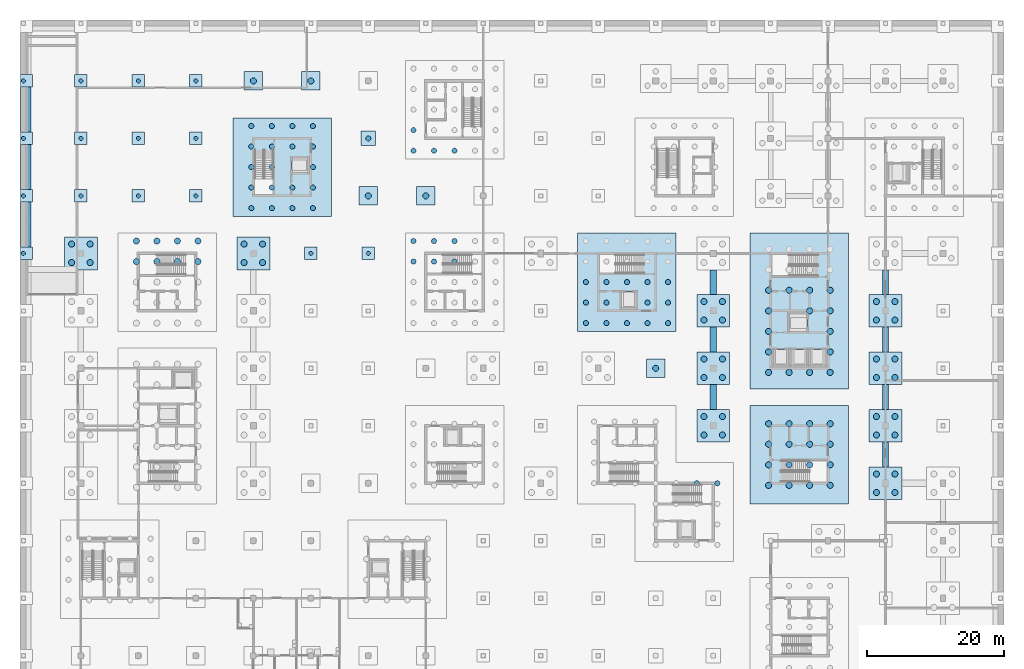
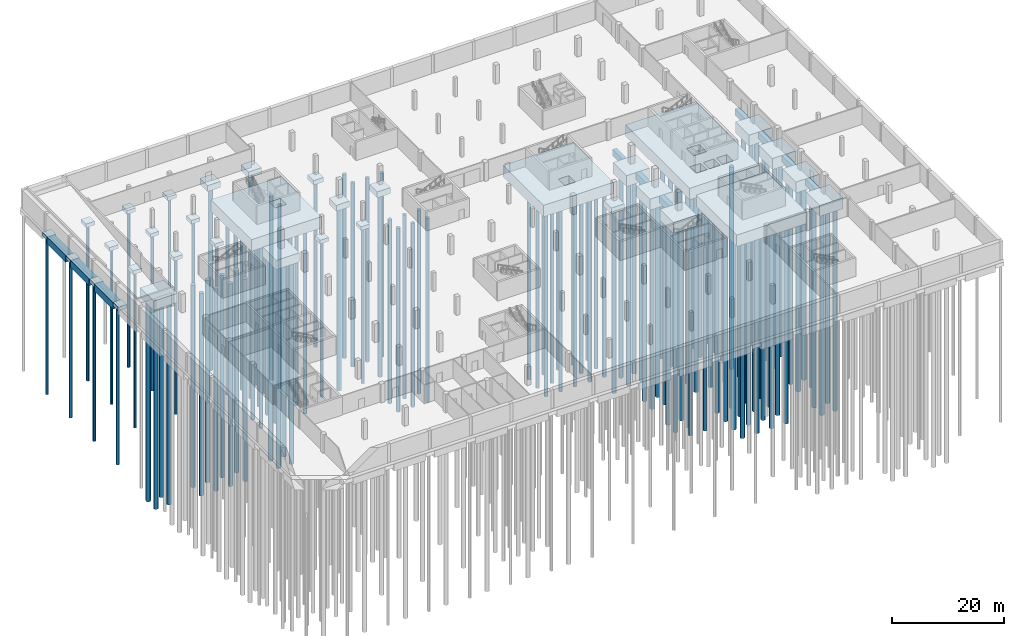
# One storey, part 3 of 23: 141 piles, 44 footings.
"""IFC4 building model written with IfcOpenShell, lengths in metres."""

from ifc_helpers import new_model, si_unit, direction, frame, origin, origin_2d, place, context, subcontext, project, spatial, polyline, rectangle, circle, outline, extrude, material, layer, layer_set, material_profile, profile_set, type_object, element, save


model = new_model("IFC4")

# Units and contexts
model_context = context("Model", 3, precision=1e-05, world=origin(), true_north=direction((0.0, 1.0)))
body_context = subcontext(model_context, "Body", "Model", "MODEL_VIEW")
ifc_project = project(units=[si_unit("LENGTHUNIT", "METRE"), si_unit("AREAUNIT", "SQUARE_METRE"), si_unit("VOLUMEUNIT", "CUBIC_METRE"), si_unit("PLANEANGLEUNIT", "RADIAN"), si_unit("MASSUNIT", "GRAM", prefix="KILO")], contexts=[model_context])

# Site, building, storey
site_placement = place(None, origin())
site = spatial("IfcSite", under=ifc_project, at=site_placement, CompositionType="ELEMENT")
building_placement = place(site_placement, origin())
building = spatial("IfcBuilding", under=site, at=building_placement, Name="Hlaing Beacon Police Headquarters", CompositionType="ELEMENT")
storey_placement = place(building_placement, frame((0.0, 0.0, -4.5)))
storey = spatial("IfcBuildingStorey", under=building, at=storey_placement, Name="B1", CompositionType="ELEMENT", Elevation=-4.5)

# Piles
ifc_material_1 = material(Name="Concrete C40/50", Category="concrete")
ifc_material_profile_1 = material_profile(ifc_material_1, circle(Radius=0.300048828125, at=origin_2d()), Name="D600")
ifc_profile_set_1 = profile_set([ifc_material_profile_1], Name="Concrete C40/50")
pile_type_1 = type_object("IfcPileType", Name="Bored pile D600 L34", PredefinedType="BORED", material=ifc_profile_set_1)
for number, where, z_axis, x_axis, name in (
    (1, (0.0, 67.199951171875, -1.39990234375), (0.0, 0.0, -1.0), (1.0, 0.0, 0.0), "STR-PILE-A9"),
    (2, (0.0, 75.60009765625, -1.39990234375), (0.0, 0.0, -1.0), (1.0, 0.0, 0.0), "STR-PILE-A10"),
    (3, (0.0, 84.0, -1.39990234375), (0.0, 0.0, -1.0), (1.0, 0.0, 0.0), "STR-PILE-A11"),
    (4, (0.0, 92.39990234375, -1.39990234375), (0.0, 0.0, -1.0), (1.0, 0.0, 0.0), "STR-PILE-A12"),
    (5, (8.39990234375, 75.60009765625, -1.39990234375), (0.0, 0.0, -1.0), (1.0, 0.0, 0.0), "STR-PILE-B10"),
    (6, (8.39990234375, 84.0, -1.39990234375), (0.0, 0.0, -1.0), (1.0, 0.0, 0.0), "STR-PILE-B11"),
    (7, (8.39990234375, 92.39990234375, -1.39990234375), (0.0, 0.0, -1.0), (1.0, 0.0, 0.0), "STR-PILE-B12"),
    (8, (16.800048828125, 75.60009765625, -1.39990234375), (0.0, 0.0, -1.0), (1.0, 0.0, 0.0), "STR-PILE-C10"),
    (9, (16.800048828125, 84.0, -1.39990234375), (0.0, 0.0, -1.0), (1.0, 0.0, 0.0), "STR-PILE-C11"),
    (10, (16.800048828125, 92.39990234375, -1.39990234375), (0.0, 0.0, -1.0), (1.0, 0.0, 0.0), "STR-PILE-C12"),
    (11, (25.199951171875, 75.60009765625, -1.39990234375), (0.0, 0.0, -1.0), (1.0, 0.0, 0.0), "STR-PILE-D10"),
    (12, (25.199951171875, 84.0, -1.39990234375), (0.0, 0.0, -1.0), (1.0, 0.0, 0.0), "STR-PILE-D11"),
    (13, (25.199951171875, 92.39990234375, -1.39990234375), (0.0, 0.0, -1.0), (1.0, 0.0, 0.0), "STR-PILE-D12"),
    (14, (42.0, 67.199951171875, -1.39990234375), (0.0, 0.0, -1.0), (1.0, 0.0, 0.0), "STR-PILE-F9"),
    (15, (50.39990234375, 67.199951171875, -1.39990234375), (0.0, 0.0, -1.0), (1.0, 0.0, 0.0), "STR-PILE-G9"),
):
    element("IfcPile", number, at=place(storey_placement, frame(where, z_axis=z_axis, x_axis=x_axis)), inside=storey, type_object=pile_type_1, Name=name, PredefinedType="BORED", context=body_context, shape_type="SweptSolid", body=[
        extrude(circle(Radius=0.300048828125, at=origin_2d()), origin(), (0.0, 0.0, 1.0), 34.0),
    ])
ifc_material_2 = material(Name="Concrete C40/50", Category="concrete")
ifc_material_profile_2 = material_profile(ifc_material_2, circle(Radius=0.375, at=origin_2d()), Name="D750")
ifc_profile_set_2 = profile_set([ifc_material_profile_2], Name="Concrete C40/50")
pile_type_2 = type_object("IfcPileType", Name="Bored pile D750 L36", PredefinedType="BORED", material=ifc_profile_set_2)
pile_placement = place(storey_placement, frame((50.39990234375, 84.0, -1.60009765625), z_axis=(0.0, 0.0, -1.0), x_axis=(1.0, 0.0, 0.0)))
element("IfcPile", 16, at=pile_placement, inside=storey, type_object=pile_type_2, Name="STR-PILE-G11", PredefinedType="BORED", context=body_context, shape_type="SweptSolid", body=[
    extrude(circle(Radius=0.375, at=origin_2d()), origin(), (0.0, 0.0, 1.0), 36.0),
])
ifc_material_3 = material(Name="Concrete C40/50", Category="concrete")
ifc_material_profile_3 = material_profile(ifc_material_3, circle(Radius=0.375, at=origin_2d()), Name="D750")
ifc_profile_set_3 = profile_set([ifc_material_profile_3], Name="Concrete C40/50")
pile_type_3 = type_object("IfcPileType", Name="Bored pile D750 L40", PredefinedType="BORED", material=ifc_profile_set_3)
for number, where, z_axis, x_axis, name in (
    (17, (57.0, 66.0, -3.10009765625), (0.0, 0.0, -1.0), (1.0, 0.0, 0.0), "STR-PILE-RFC1b-0104"),
    (18, (57.0, 69.0, -3.10009765625), (0.0, 0.0, -1.0), (1.0, 0.0, 0.0), "STR-PILE-RFC1b-0105"),
    (19, (60.0, 66.0, -3.10009765625), (0.0, 0.0, -1.0), (1.0, 0.0, 0.0), "STR-PILE-RFC1b-0204"),
    (20, (60.0, 69.0, -3.10009765625), (0.0, 0.0, -1.0), (1.0, 0.0, 0.0), "STR-PILE-RFC1b-0205"),
    (21, (63.0, 66.0, -3.10009765625), (0.0, 0.0, -1.0), (1.0, 0.0, 0.0), "STR-PILE-RFC1b-0304"),
    (22, (63.0, 69.0, -3.10009765625), (0.0, 0.0, -1.0), (1.0, 0.0, 0.0), "STR-PILE-RFC1b-0305"),
    (23, (98.39990234375, 33.60009765625, -3.10009765625), (0.0, 0.0, -1.0), (1.0, 0.0, 0.0), "STR-PILE-RFC1c-0604"),
    (24, (101.39990234375, 33.60009765625, -3.10009765625), (0.0, 0.0, -1.0), (1.0, 0.0, 0.0), "STR-PILE-RFC1c-0704"),
    (25, (82.199951171875, 57.0, -3.10009765625), (0.0, 0.0, -1.0), (1.0, 0.0, 0.0), "STR-PILE-RFC1d-0101"),
    (26, (82.199951171875, 60.0, -3.10009765625), (0.0, 0.0, -1.0), (1.0, 0.0, 0.0), "STR-PILE-RFC1d-0102"),
    (27, (82.199951171875, 63.0, -3.10009765625), (0.0, 0.0, -1.0), (1.0, 0.0, 0.0), "STR-PILE-RFC1d-0103"),
    (28, (85.199951171875, 57.0, -3.10009765625), (0.0, 0.0, -1.0), (1.0, 0.0, 0.0), "STR-PILE-RFC1d-0201"),
    (29, (85.199951171875, 60.0, -3.10009765625), (0.0, 0.0, -1.0), (1.0, 0.0, 0.0), "STR-PILE-RFC1d-0202"),
    (30, (85.199951171875, 63.0, -3.10009765625), (0.0, 0.0, -1.0), (1.0, 0.0, 0.0), "STR-PILE-RFC1d-0203"),
    (31, (88.199951171875, 57.0, -3.10009765625), (0.0, 0.0, -1.0), (1.0, 0.0, 0.0), "STR-PILE-RFC1d-0301"),
    (32, (88.199951171875, 63.0, -3.10009765625), (0.0, 0.0, -1.0), (1.0, 0.0, 0.0), "STR-PILE-RFC1d-0303"),
    (33, (91.199951171875, 57.0, -3.10009765625), (0.0, 0.0, -1.0), (1.0, 0.0, 0.0), "STR-PILE-RFC1d-0401"),
    (34, (91.199951171875, 60.0, -3.10009765625), (0.0, 0.0, -1.0), (1.0, 0.0, 0.0), "STR-PILE-RFC1d-0402"),
    (35, (91.199951171875, 63.0, -3.10009765625), (0.0, 0.0, -1.0), (1.0, 0.0, 0.0), "STR-PILE-RFC1d-0403"),
    (36, (94.199951171875, 57.0, -3.10009765625), (0.0, 0.0, -1.0), (1.0, 0.0, 0.0), "STR-PILE-RFC1d-0501"),
    (37, (94.199951171875, 60.0, -3.10009765625), (0.0, 0.0, -1.0), (1.0, 0.0, 0.0), "STR-PILE-RFC1d-0502"),
    (38, (94.199951171875, 63.0, -3.10009765625), (0.0, 0.0, -1.0), (1.0, 0.0, 0.0), "STR-PILE-RFC1d-0503"),
    (39, (33.300048828125, 73.800048828125, -3.10009765625), (0.0, 0.0, -1.0), (1.0, 0.0, 0.0), "STR-PILE-RFC2a-0101"),
    (40, (33.300048828125, 76.800048828125, -3.10009765625), (0.0, 0.0, -1.0), (1.0, 0.0, 0.0), "STR-PILE-RFC2a-0102"),
    (41, (33.300048828125, 79.800048828125, -3.10009765625), (0.0, 0.0, -1.0), (1.0, 0.0, 0.0), "STR-PILE-RFC2a-0103"),
    (42, (33.300048828125, 82.800048828125, -3.10009765625), (0.0, 0.0, -1.0), (1.0, 0.0, 0.0), "STR-PILE-RFC2a-0104"),
    (43, (33.300048828125, 85.800048828125, -3.10009765625), (0.0, 0.0, -1.0), (1.0, 0.0, 0.0), "STR-PILE-RFC2a-0105"),
    (44, (36.300048828125, 73.800048828125, -3.10009765625), (0.0, 0.0, -1.0), (1.0, 0.0, 0.0), "STR-PILE-RFC2a-0201"),
    (45, (36.300048828125, 76.800048828125, -3.10009765625), (0.0, 0.0, -1.0), (1.0, 0.0, 0.0), "STR-PILE-RFC2a-0202"),
    (46, (36.300048828125, 79.800048828125, -3.10009765625), (0.0, 0.0, -1.0), (1.0, 0.0, 0.0), "STR-PILE-RFC2a-0203"),
    (47, (36.300048828125, 82.800048828125, -3.10009765625), (0.0, 0.0, -1.0), (1.0, 0.0, 0.0), "STR-PILE-RFC2a-0204"),
    (48, (36.300048828125, 85.800048828125, -3.10009765625), (0.0, 0.0, -1.0), (1.0, 0.0, 0.0), "STR-PILE-RFC2a-0205"),
    (49, (39.300048828125, 73.800048828125, -3.10009765625), (0.0, 0.0, -1.0), (1.0, 0.0, 0.0), "STR-PILE-RFC2a-0301"),
    (50, (39.300048828125, 76.800048828125, -3.10009765625), (0.0, 0.0, -1.0), (1.0, 0.0, 0.0), "STR-PILE-RFC2a-0302"),
    (51, (39.300048828125, 82.800048828125, -3.10009765625), (0.0, 0.0, -1.0), (1.0, 0.0, 0.0), "STR-PILE-RFC2a-0304"),
    (52, (39.300048828125, 85.800048828125, -3.10009765625), (0.0, 0.0, -1.0), (1.0, 0.0, 0.0), "STR-PILE-RFC2a-0305"),
    (53, (42.300048828125, 73.800048828125, -3.10009765625), (0.0, 0.0, -1.0), (1.0, 0.0, 0.0), "STR-PILE-RFC2a-0401"),
    (54, (42.300048828125, 76.800048828125, -3.10009765625), (0.0, 0.0, -1.0), (1.0, 0.0, 0.0), "STR-PILE-RFC2a-0402"),
    (55, (42.300048828125, 79.800048828125, -3.10009765625), (0.0, 0.0, -1.0), (1.0, 0.0, 0.0), "STR-PILE-RFC2a-0403"),
    (56, (42.300048828125, 82.800048828125, -3.10009765625), (0.0, 0.0, -1.0), (1.0, 0.0, 0.0), "STR-PILE-RFC2a-0404"),
    (57, (42.300048828125, 85.800048828125, -3.10009765625), (0.0, 0.0, -1.0), (1.0, 0.0, 0.0), "STR-PILE-RFC2a-0405"),
    (58, (57.0, 82.199951171875, -3.10009765625), (0.0, 0.0, -1.0), (1.0, 0.0, 0.0), "STR-PILE-RFC2b-0101"),
    (59, (57.0, 85.199951171875, -3.10009765625), (0.0, 0.0, -1.0), (1.0, 0.0, 0.0), "STR-PILE-RFC2b-0102"),
    (60, (60.0, 82.199951171875, -3.10009765625), (0.0, 0.0, -1.0), (1.0, 0.0, 0.0), "STR-PILE-RFC2b-0201"),
    (61, (63.0, 82.199951171875, -3.10009765625), (0.0, 0.0, -1.0), (1.0, 0.0, 0.0), "STR-PILE-RFC2b-0301"),
):
    element("IfcPile", number, at=place(storey_placement, frame(where, z_axis=z_axis, x_axis=x_axis)), inside=storey, type_object=pile_type_3, Name=name, PredefinedType="BORED", context=body_context, shape_type="SweptSolid", body=[
        extrude(circle(Radius=0.375, at=origin_2d()), origin(), (0.0, 0.0, 1.0), 40.0),
    ])
ifc_material_4 = material(Name="Concrete C40/50", Category="concrete")
ifc_material_profile_4 = material_profile(ifc_material_4, circle(Radius=0.449951171875, at=origin_2d()), Name="D900")
ifc_profile_set_4 = profile_set([ifc_material_profile_4], Name="Concrete C40/50")
pile_type_4 = type_object("IfcPileType", Name="Bored pile D900 L40", PredefinedType="BORED", material=ifc_profile_set_4)
for number, where, z_axis, x_axis, name in (
    (62, (33.60009765625, 92.39990234375, -1.89990234375), (0.0, 0.0, -1.0), (1.0, 0.0, 0.0), "STR-PILE-E12"),
    (63, (42.0, 92.39990234375, -1.89990234375), (0.0, 0.0, -1.0), (1.0, 0.0, 0.0), "STR-PILE-F12"),
    (64, (50.39990234375, 75.60009765625, -1.89990234375), (0.0, 0.0, -1.0), (1.0, 0.0, 0.0), "STR-PILE-G10"),
    (65, (58.800048828125, 75.60009765625, -1.89990234375), (0.0, 0.0, -1.0), (1.0, 0.0, 0.0), "STR-PILE-H10"),
    (66, (92.39990234375, 50.39990234375, -1.89990234375), (0.0, 0.0, -1.0), (1.0, 0.0, 0.0), "STR-PILE-M7"),
):
    element("IfcPile", number, at=place(storey_placement, frame(where, z_axis=z_axis, x_axis=x_axis)), inside=storey, type_object=pile_type_4, Name=name, PredefinedType="BORED", context=body_context, shape_type="SweptSolid", body=[
        extrude(circle(Radius=0.449951171875, at=origin_2d()), origin(), (0.0, 0.0, 1.0), 40.0),
    ])
ifc_material_5 = material(Name="Concrete C40/50", Category="concrete")
ifc_material_profile_5 = material_profile(ifc_material_5, circle(Radius=0.449951171875, at=origin_2d()), Name="D900")
ifc_profile_set_5 = profile_set([ifc_material_profile_5], Name="Concrete C40/50")
pile_type_5 = type_object("IfcPileType", Name="Bored pile D900 L44", PredefinedType="BORED", material=ifc_profile_set_5)
for number, where, z_axis, x_axis, name in (
    (67, (7.050048828125, 65.85009765625, -2.60009765625), (0.0, 0.0, -1.0), (1.0, 0.0, 0.0), "STR-PILE-B9-1"),
    (68, (9.75, 65.85009765625, -2.60009765625), (0.0, 0.0, -1.0), (1.0, 0.0, 0.0), "STR-PILE-B9-2"),
    (69, (9.75, 68.550048828125, -2.60009765625), (0.0, 0.0, -1.0), (1.0, 0.0, 0.0), "STR-PILE-B9-3"),
    (70, (7.050048828125, 68.550048828125, -2.60009765625), (0.0, 0.0, -1.0), (1.0, 0.0, 0.0), "STR-PILE-B9-4"),
    (71, (32.25, 65.85009765625, -2.60009765625), (0.0, 0.0, -1.0), (1.0, 0.0, 0.0), "STR-PILE-E9-1"),
    (72, (34.949951171875, 65.85009765625, -2.60009765625), (0.0, 0.0, -1.0), (1.0, 0.0, 0.0), "STR-PILE-E9-2"),
    (73, (34.949951171875, 68.550048828125, -2.60009765625), (0.0, 0.0, -1.0), (1.0, 0.0, 0.0), "STR-PILE-E9-3"),
    (74, (32.25, 68.550048828125, -2.60009765625), (0.0, 0.0, -1.0), (1.0, 0.0, 0.0), "STR-PILE-E9-4"),
    (75, (99.449951171875, 40.64990234375, -3.0), (0.0, 0.0, -1.0), (1.0, 0.0, 0.0), "STR-PILE-N6-1"),
    (76, (102.14990234375, 40.64990234375, -3.0), (0.0, 0.0, -1.0), (1.0, 0.0, 0.0), "STR-PILE-N6-2"),
    (77, (102.14990234375, 43.35009765625, -3.0), (0.0, 0.0, -1.0), (1.0, 0.0, 0.0), "STR-PILE-N6-3"),
    (78, (99.449951171875, 43.35009765625, -3.0), (0.0, 0.0, -1.0), (1.0, 0.0, 0.0), "STR-PILE-N6-4"),
    (79, (99.449951171875, 49.050048828125, -3.0), (0.0, 0.0, -1.0), (1.0, 0.0, 0.0), "STR-PILE-N7-1"),
    (80, (102.14990234375, 49.050048828125, -3.0), (0.0, 0.0, -1.0), (1.0, 0.0, 0.0), "STR-PILE-N7-2"),
    (81, (102.14990234375, 51.75, -3.0), (0.0, 0.0, -1.0), (1.0, 0.0, 0.0), "STR-PILE-N7-3"),
    (82, (99.449951171875, 51.75, -3.0), (0.0, 0.0, -1.0), (1.0, 0.0, 0.0), "STR-PILE-N7-4"),
    (83, (99.449951171875, 57.449951171875, -3.0), (0.0, 0.0, -1.0), (1.0, 0.0, 0.0), "STR-PILE-N8-1"),
    (84, (102.14990234375, 57.449951171875, -3.0), (0.0, 0.0, -1.0), (1.0, 0.0, 0.0), "STR-PILE-N8-2"),
    (85, (102.14990234375, 60.14990234375, -3.0), (0.0, 0.0, -1.0), (1.0, 0.0, 0.0), "STR-PILE-N8-3"),
    (86, (99.449951171875, 60.14990234375, -3.0), (0.0, 0.0, -1.0), (1.0, 0.0, 0.0), "STR-PILE-N8-4"),
    (87, (124.64990234375, 32.25, -3.0), (0.0, 0.0, -1.0), (1.0, 0.0, 0.0), "STR-PILE-R5-1"),
    (88, (127.35009765625, 32.25, -3.0), (0.0, 0.0, -1.0), (1.0, 0.0, 0.0), "STR-PILE-R5-2"),
    (89, (127.35009765625, 34.949951171875, -3.0), (0.0, 0.0, -1.0), (1.0, 0.0, 0.0), "STR-PILE-R5-3"),
    (90, (124.64990234375, 34.949951171875, -3.0), (0.0, 0.0, -1.0), (1.0, 0.0, 0.0), "STR-PILE-R5-4"),
    (91, (124.64990234375, 40.64990234375, -3.0), (0.0, 0.0, -1.0), (1.0, 0.0, 0.0), "STR-PILE-R6-1"),
    (92, (127.35009765625, 40.64990234375, -3.0), (0.0, 0.0, -1.0), (1.0, 0.0, 0.0), "STR-PILE-R6-2"),
    (93, (127.35009765625, 43.35009765625, -3.0), (0.0, 0.0, -1.0), (1.0, 0.0, 0.0), "STR-PILE-R6-3"),
    (94, (124.64990234375, 43.35009765625, -3.0), (0.0, 0.0, -1.0), (1.0, 0.0, 0.0), "STR-PILE-R6-4"),
    (95, (124.64990234375, 49.050048828125, -3.0), (0.0, 0.0, -1.0), (1.0, 0.0, 0.0), "STR-PILE-R7-1"),
    (96, (127.35009765625, 49.050048828125, -3.0), (0.0, 0.0, -1.0), (1.0, 0.0, 0.0), "STR-PILE-R7-2"),
    (97, (127.35009765625, 51.75, -3.0), (0.0, 0.0, -1.0), (1.0, 0.0, 0.0), "STR-PILE-R7-3"),
    (98, (124.64990234375, 51.75, -3.0), (0.0, 0.0, -1.0), (1.0, 0.0, 0.0), "STR-PILE-R7-4"),
    (99, (124.64990234375, 57.449951171875, -3.0), (0.0, 0.0, -1.0), (1.0, 0.0, 0.0), "STR-PILE-R8-1"),
    (100, (127.35009765625, 57.449951171875, -3.0), (0.0, 0.0, -1.0), (1.0, 0.0, 0.0), "STR-PILE-R8-2"),
    (101, (127.35009765625, 60.14990234375, -3.0), (0.0, 0.0, -1.0), (1.0, 0.0, 0.0), "STR-PILE-R8-3"),
    (102, (124.64990234375, 60.14990234375, -3.0), (0.0, 0.0, -1.0), (1.0, 0.0, 0.0), "STR-PILE-R8-4"),
    (103, (108.89990234375, 49.800048828125, -3.10009765625), (0.0, 0.0, -1.0), (1.0, 0.0, 0.0), "STR-PILE-RFC5L-0101"),
    (104, (108.89990234375, 52.800048828125, -3.10009765625), (0.0, 0.0, -1.0), (1.0, 0.0, 0.0), "STR-PILE-RFC5L-0102"),
    (105, (108.89990234375, 55.800048828125, -3.10009765625), (0.0, 0.0, -1.0), (1.0, 0.0, 0.0), "STR-PILE-RFC5L-0103"),
    (106, (108.89990234375, 58.800048828125, -3.10009765625), (0.0, 0.0, -1.0), (1.0, 0.0, 0.0), "STR-PILE-RFC5L-0104"),
    (107, (108.89990234375, 61.800048828125, -3.10009765625), (0.0, 0.0, -1.0), (1.0, 0.0, 0.0), "STR-PILE-RFC5L-0105"),
    (108, (111.89990234375, 49.800048828125, -3.10009765625), (0.0, 0.0, -1.0), (1.0, 0.0, 0.0), "STR-PILE-RFC5L-0201"),
    (109, (111.89990234375, 61.800048828125, -3.10009765625), (0.0, 0.0, -1.0), (1.0, 0.0, 0.0), "STR-PILE-RFC5L-0205"),
    (110, (114.89990234375, 49.800048828125, -3.10009765625), (0.0, 0.0, -1.0), (1.0, 0.0, 0.0), "STR-PILE-RFC5L-0301"),
    (111, (114.89990234375, 58.800048828125, -3.10009765625), (0.0, 0.0, -1.0), (1.0, 0.0, 0.0), "STR-PILE-RFC5L-0304"),
    (112, (114.89990234375, 61.800048828125, -3.10009765625), (0.0, 0.0, -1.0), (1.0, 0.0, 0.0), "STR-PILE-RFC5L-0305"),
    (113, (117.89990234375, 49.800048828125, -3.10009765625), (0.0, 0.0, -1.0), (1.0, 0.0, 0.0), "STR-PILE-RFC5L-0401"),
    (114, (117.89990234375, 52.800048828125, -3.10009765625), (0.0, 0.0, -1.0), (1.0, 0.0, 0.0), "STR-PILE-RFC5L-0402"),
    (115, (117.89990234375, 55.800048828125, -3.10009765625), (0.0, 0.0, -1.0), (1.0, 0.0, 0.0), "STR-PILE-RFC5L-0403"),
    (116, (117.89990234375, 58.800048828125, -3.10009765625), (0.0, 0.0, -1.0), (1.0, 0.0, 0.0), "STR-PILE-RFC5L-0404"),
    (117, (117.89990234375, 61.800048828125, -3.10009765625), (0.0, 0.0, -1.0), (1.0, 0.0, 0.0), "STR-PILE-RFC5L-0405"),
    (118, (108.89990234375, 33.300048828125, -3.10009765625), (0.0, 0.0, -1.0), (1.0, 0.0, 0.0), "STR-PILE-RFC5S-0101"),
    (119, (108.89990234375, 36.300048828125, -3.10009765625), (0.0, 0.0, -1.0), (1.0, 0.0, 0.0), "STR-PILE-RFC5S-0102"),
    (120, (108.89990234375, 39.300048828125, -3.10009765625), (0.0, 0.0, -1.0), (1.0, 0.0, 0.0), "STR-PILE-RFC5S-0103"),
    (121, (108.89990234375, 42.300048828125, -3.10009765625), (0.0, 0.0, -1.0), (1.0, 0.0, 0.0), "STR-PILE-RFC5S-0104"),
    (122, (111.89990234375, 33.300048828125, -3.10009765625), (0.0, 0.0, -1.0), (1.0, 0.0, 0.0), "STR-PILE-RFC5S-0201"),
    (123, (111.89990234375, 36.300048828125, -3.10009765625), (0.0, 0.0, -1.0), (1.0, 0.0, 0.0), "STR-PILE-RFC5S-0202"),
    (124, (111.89990234375, 39.300048828125, -3.10009765625), (0.0, 0.0, -1.0), (1.0, 0.0, 0.0), "STR-PILE-RFC5S-0203"),
    (125, (111.89990234375, 42.300048828125, -3.10009765625), (0.0, 0.0, -1.0), (1.0, 0.0, 0.0), "STR-PILE-RFC5S-0204"),
    (126, (114.89990234375, 33.300048828125, -3.10009765625), (0.0, 0.0, -1.0), (1.0, 0.0, 0.0), "STR-PILE-RFC5S-0301"),
    (127, (114.89990234375, 36.300048828125, -3.10009765625), (0.0, 0.0, -1.0), (1.0, 0.0, 0.0), "STR-PILE-RFC5S-0302"),
    (128, (114.89990234375, 39.300048828125, -3.10009765625), (0.0, 0.0, -1.0), (1.0, 0.0, 0.0), "STR-PILE-RFC5S-0303"),
    (129, (114.89990234375, 42.300048828125, -3.10009765625), (0.0, 0.0, -1.0), (1.0, 0.0, 0.0), "STR-PILE-RFC5S-0304"),
    (130, (117.89990234375, 33.300048828125, -3.10009765625), (0.0, 0.0, -1.0), (1.0, 0.0, 0.0), "STR-PILE-RFC5S-0401"),
    (131, (117.89990234375, 36.300048828125, -3.10009765625), (0.0, 0.0, -1.0), (1.0, 0.0, 0.0), "STR-PILE-RFC5S-0402"),
    (132, (117.89990234375, 39.300048828125, -3.10009765625), (0.0, 0.0, -1.0), (1.0, 0.0, 0.0), "STR-PILE-RFC5S-0403"),
    (133, (117.89990234375, 42.300048828125, -3.10009765625), (0.0, 0.0, -1.0), (1.0, 0.0, 0.0), "STR-PILE-RFC5S-0404"),
    (134, (16.5, 66.0, -3.10009765625), (0.0, 0.0, -1.0), (1.0, 0.0, 0.0), "STR-PILE-RFC6N-0104"),
    (135, (16.5, 69.0, -3.10009765625), (0.0, 0.0, -1.0), (1.0, 0.0, 0.0), "STR-PILE-RFC6N-0105"),
    (136, (19.5, 66.0, -3.10009765625), (0.0, 0.0, -1.0), (1.0, 0.0, 0.0), "STR-PILE-RFC6N-0204"),
    (137, (19.5, 69.0, -3.10009765625), (0.0, 0.0, -1.0), (1.0, 0.0, 0.0), "STR-PILE-RFC6N-0205"),
    (138, (22.5, 66.0, -3.10009765625), (0.0, 0.0, -1.0), (1.0, 0.0, 0.0), "STR-PILE-RFC6N-0304"),
    (139, (22.5, 69.0, -3.10009765625), (0.0, 0.0, -1.0), (1.0, 0.0, 0.0), "STR-PILE-RFC6N-0305"),
    (140, (25.5, 66.0, -3.10009765625), (0.0, 0.0, -1.0), (1.0, 0.0, 0.0), "STR-PILE-RFC6N-0404"),
    (141, (25.5, 69.0, -3.10009765625), (0.0, 0.0, -1.0), (1.0, 0.0, 0.0), "STR-PILE-RFC6N-0405"),
):
    element("IfcPile", number, at=place(storey_placement, frame(where, z_axis=z_axis, x_axis=x_axis)), inside=storey, type_object=pile_type_5, Name=name, PredefinedType="BORED", context=body_context, shape_type="SweptSolid", body=[
        extrude(circle(Radius=0.449951171875, at=origin_2d()), origin(), (0.0, 0.0, 1.0), 44.0),
    ])

# Footings
ifc_material_6 = material(Name="Concrete C40/50", Category="concrete")
ifc_layer_1 = layer(ifc_material_6, 0.800048828125)
ifc_layer_set_1 = layer_set([ifc_layer_1], Name="Concrete C40/50")
footing_type_1 = type_object("IfcFootingType", Name="Pad footing 1800 x 1800 x 800", PredefinedType="PAD_FOOTING", material=ifc_layer_set_1)
for number, where, z_axis, x_axis, name in (
    (142, (0.449951171875, 67.199951171875, -1.39990234375), (0.0, 0.0, 1.0), (1.0, 0.0, 0.0), "STR-PAD-A9"),
    (143, (0.449951171875, 75.60009765625, -1.39990234375), (0.0, 0.0, 1.0), (1.0, 0.0, 0.0), "STR-PAD-A10"),
    (144, (0.449951171875, 84.0, -1.39990234375), (0.0, 0.0, 1.0), (1.0, 0.0, 0.0), "STR-PAD-A11"),
    (145, (0.449951171875, 92.39990234375, -1.39990234375), (0.0, 0.0, 1.0), (1.0, 0.0, 0.0), "STR-PAD-A12"),
    (146, (8.39990234375, 75.60009765625, -1.39990234375), (0.0, 0.0, 1.0), (1.0, 0.0, 0.0), "STR-PAD-B10"),
    (147, (8.39990234375, 84.0, -1.39990234375), (0.0, 0.0, 1.0), (1.0, 0.0, 0.0), "STR-PAD-B11"),
    (148, (8.39990234375, 92.39990234375, -1.39990234375), (0.0, 0.0, 1.0), (1.0, 0.0, 0.0), "STR-PAD-B12"),
    (149, (16.800048828125, 75.60009765625, -1.39990234375), (0.0, 0.0, 1.0), (1.0, 0.0, 0.0), "STR-PAD-C10"),
    (150, (16.800048828125, 84.0, -1.39990234375), (0.0, 0.0, 1.0), (1.0, 0.0, 0.0), "STR-PAD-C11"),
    (151, (16.800048828125, 92.39990234375, -1.39990234375), (0.0, 0.0, 1.0), (1.0, 0.0, 0.0), "STR-PAD-C12"),
    (152, (25.199951171875, 75.60009765625, -1.39990234375), (0.0, 0.0, 1.0), (1.0, 0.0, 0.0), "STR-PAD-D10"),
    (153, (25.199951171875, 84.0, -1.39990234375), (0.0, 0.0, 1.0), (1.0, 0.0, 0.0), "STR-PAD-D11"),
    (154, (25.199951171875, 92.39990234375, -1.39990234375), (0.0, 0.0, 1.0), (1.0, 0.0, 0.0), "STR-PAD-D12"),
    (155, (42.0, 67.199951171875, -1.39990234375), (0.0, 0.0, 1.0), (1.0, 0.0, 0.0), "STR-PAD-F9"),
    (156, (50.39990234375, 67.199951171875, -1.39990234375), (0.0, 0.0, 1.0), (1.0, 0.0, 0.0), "STR-PAD-G9"),
):
    element("IfcFooting", number, at=place(storey_placement, frame(where, z_axis=z_axis, x_axis=x_axis)), inside=storey, type_object=footing_type_1, Name=name, PredefinedType="PAD_FOOTING", context=body_context, shape_type="SweptSolid", body=[
        extrude(rectangle(XDim=1.800048828125, YDim=1.800048828125, at=origin_2d()), origin(), (0.0, 0.0, 1.0), 0.800048828125),
    ])
ifc_material_7 = material(Name="Concrete C40/50", Category="concrete")
ifc_layer_2 = layer(ifc_material_7, 1.0)
ifc_layer_set_2 = layer_set([ifc_layer_2], Name="Concrete C40/50")
footing_type_2 = type_object("IfcFootingType", Name="Pad footing 2100 x 2100 x 1000", PredefinedType="PAD_FOOTING", material=ifc_layer_set_2)
footing_1_placement = place(storey_placement, frame((50.39990234375, 84.0, -1.60009765625), z_axis=(0.0, 0.0, 1.0), x_axis=(1.0, 0.0, 0.0)))
element("IfcFooting", 157, at=footing_1_placement, inside=storey, type_object=footing_type_2, Name="STR-PAD-G11", PredefinedType="PAD_FOOTING", context=body_context, shape_type="SweptSolid", body=[
    extrude(rectangle(XDim=2.10009765625, YDim=2.10009765625, at=origin_2d()), origin(), (0.0, 0.0, 1.0), 1.0),
])
ifc_material_8 = material(Name="Concrete C40/50", Category="concrete")
ifc_layer_3 = layer(ifc_material_8, 1.300048828125)
ifc_layer_set_3 = layer_set([ifc_layer_3], Name="Concrete C40/50")
footing_type_3 = type_object("IfcFootingType", Name="Pad footing 2700 x 2700 x 1300", PredefinedType="PAD_FOOTING", material=ifc_layer_set_3)
for number, where, z_axis, x_axis, name in (
    (158, (33.60009765625, 92.39990234375, -1.89990234375), (0.0, 0.0, 1.0), (1.0, 0.0, 0.0), "STR-PAD-E12"),
    (159, (42.0, 92.39990234375, -1.89990234375), (0.0, 0.0, 1.0), (1.0, 0.0, 0.0), "STR-PAD-F12"),
    (160, (50.39990234375, 75.60009765625, -1.89990234375), (0.0, 0.0, 1.0), (1.0, 0.0, 0.0), "STR-PAD-G10"),
    (161, (58.800048828125, 75.60009765625, -1.89990234375), (0.0, 0.0, 1.0), (1.0, 0.0, 0.0), "STR-PAD-H10"),
    (162, (92.39990234375, 50.39990234375, -1.89990234375), (0.0, 0.0, 1.0), (1.0, 0.0, 0.0), "STR-PAD-M7"),
):
    element("IfcFooting", number, at=place(storey_placement, frame(where, z_axis=z_axis, x_axis=x_axis)), inside=storey, type_object=footing_type_3, Name=name, PredefinedType="PAD_FOOTING", context=body_context, shape_type="SweptSolid", body=[
        extrude(rectangle(XDim=2.699951171875, YDim=2.699951171875, at=origin_2d()), origin(), (0.0, 0.0, 1.0), 1.300048828125),
    ])
ifc_material_9 = material(Name="Concrete C40/50", Category="concrete")
ifc_layer_4 = layer(ifc_material_9, 2.0)
ifc_layer_set_4 = layer_set([ifc_layer_4], Name="Concrete C40/50")
footing_type_4 = type_object("IfcFootingType", Name="Pile cap 4800 x 4800 x 2000", PredefinedType="PILE_CAP", material=ifc_layer_set_4)
for number, where, z_axis, x_axis, name in (
    (163, (8.39990234375, 67.199951171875, -2.60009765625), (0.0, 0.0, 1.0), (1.0, 0.0, 0.0), "STR-CAP-B9"),
    (164, (33.60009765625, 67.199951171875, -2.60009765625), (0.0, 0.0, 1.0), (1.0, 0.0, 0.0), "STR-CAP-E9"),
):
    element("IfcFooting", number, at=place(storey_placement, frame(where, z_axis=z_axis, x_axis=x_axis)), inside=storey, type_object=footing_type_4, Name=name, PredefinedType="PILE_CAP", context=body_context, shape_type="SweptSolid", body=[
        extrude(rectangle(XDim=4.800048828125, YDim=4.800048828125, at=origin_2d()), origin(), (0.0, 0.0, 1.0), 2.0),
    ])
ifc_material_10 = material(Name="Concrete C40/50", Category="concrete")
ifc_layer_5 = layer(ifc_material_10, 2.39990234375)
ifc_layer_set_5 = layer_set([ifc_layer_5], Name="Concrete C40/50")
footing_type_5 = type_object("IfcFootingType", Name="Pile cap 4800 x 4800 x 2400", PredefinedType="PILE_CAP", material=ifc_layer_set_5)
for number, where, z_axis, x_axis, name in (
    (165, (100.800048828125, 42.0, -3.0), (0.0, 0.0, 1.0), (1.0, 0.0, 0.0), "STR-CAP-N6"),
    (166, (100.800048828125, 50.39990234375, -3.0), (0.0, 0.0, 1.0), (1.0, 0.0, 0.0), "STR-CAP-N7"),
    (167, (100.800048828125, 58.800048828125, -3.0), (0.0, 0.0, 1.0), (1.0, 0.0, 0.0), "STR-CAP-N8"),
    (168, (126.0, 33.60009765625, -3.0), (0.0, 0.0, 1.0), (1.0, 0.0, 0.0), "STR-CAP-R5"),
    (169, (126.0, 42.0, -3.0), (0.0, 0.0, 1.0), (1.0, 0.0, 0.0), "STR-CAP-R6"),
    (170, (126.0, 50.39990234375, -3.0), (0.0, 0.0, 1.0), (1.0, 0.0, 0.0), "STR-CAP-R7"),
    (171, (126.0, 58.800048828125, -3.0), (0.0, 0.0, 1.0), (1.0, 0.0, 0.0), "STR-CAP-R8"),
):
    element("IfcFooting", number, at=place(storey_placement, frame(where, z_axis=z_axis, x_axis=x_axis)), inside=storey, type_object=footing_type_5, Name=name, PredefinedType="PILE_CAP", context=body_context, shape_type="SweptSolid", body=[
        extrude(rectangle(XDim=4.800048828125, YDim=4.800048828125, at=origin_2d()), origin(), (0.0, 0.0, 1.0), 2.39990234375),
    ])
ifc_material_11 = material(Name="Concrete C40/50", Category="concrete")
ifc_layer_6 = layer(ifc_material_11, 2.5)
ifc_layer_set_6 = layer_set([ifc_layer_6], Name="Concrete C40/50")
footing_type_6 = type_object("IfcFootingType", Name="Piled raft 2500 14400 x 14400", PredefinedType="PILE_CAP", material=ifc_layer_set_6)
footing_2_placement = place(storey_placement, frame((0.0, 0.0, -3.10009765625)))
element("IfcFooting", 172, at=footing_2_placement, inside=storey, type_object=footing_type_6, Name="STR-RAFT-C1d", PredefinedType="PILE_CAP", context=body_context, shape_type="SweptSolid", body=[
    extrude(outline(polyline([(95.39990234375, 55.800048828125), (81.0, 55.800048828125), (81.0, 70.199951171875), (95.39990234375, 70.199951171875), (95.39990234375, 55.800048828125)]), holes=[polyline([(89.550048828125, 59.25), (89.550048828125, 61.550048828125), (87.39990234375, 61.550048828125), (87.39990234375, 59.25), (89.550048828125, 59.25)])]), origin(), (0.0, 0.0, 1.0), 2.5),
])
footing_3_placement = place(storey_placement, frame((0.0, 0.0, -3.10009765625)))
element("IfcFooting", 173, at=footing_3_placement, inside=storey, type_object=footing_type_6, Name="STR-RAFT-C2a", PredefinedType="PILE_CAP", context=body_context, shape_type="SweptSolid", body=[
    extrude(outline(polyline([(30.60009765625, 72.60009765625), (30.60009765625, 87.0), (45.0, 87.0), (45.0, 72.60009765625), (30.60009765625, 72.60009765625)]), holes=[polyline([(41.550048828125, 79.0), (41.550048828125, 81.14990234375), (39.25, 81.14990234375), (39.25, 79.0), (41.550048828125, 79.0)])]), origin(), (0.0, 0.0, 1.0), 2.5),
])
footing_4_placement = place(storey_placement, frame((0.0, 0.0, -3.10009765625)))
element("IfcFooting", 174, at=footing_4_placement, inside=storey, type_object=footing_type_6, Name="STR-RAFT-C5S", PredefinedType="PILE_CAP", context=body_context, shape_type="SweptSolid", body=[
    extrude(outline(polyline([(120.60009765625, 30.60009765625), (106.199951171875, 30.60009765625), (106.199951171875, 45.0), (120.60009765625, 45.0), (120.60009765625, 30.60009765625)])), origin(), (0.0, 0.0, 1.0), 2.5),
])
ifc_material_12 = material(Name="Concrete C40/50", Category="concrete")
ifc_layer_7 = layer(ifc_material_12, 2.5)
ifc_layer_set_7 = layer_set([ifc_layer_7], Name="Concrete C40/50")
footing_type_7 = type_object("IfcFootingType", Name="Piled raft 2500 14400 x 22800", PredefinedType="PILE_CAP", material=ifc_layer_set_7)
footing_5_placement = place(storey_placement, frame((0.0, 0.0, -3.10009765625)))
element("IfcFooting", 175, at=footing_5_placement, inside=storey, type_object=footing_type_7, Name="STR-RAFT-C5L", PredefinedType="PILE_CAP", context=body_context, shape_type="SweptSolid", body=[
    extrude(outline(polyline([(106.199951171875, 70.199951171875), (120.60009765625, 70.199951171875), (120.60009765625, 61.800048828125), (120.60009765625, 55.800048828125), (120.60009765625, 47.39990234375), (106.199951171875, 47.39990234375), (106.199951171875, 55.800048828125), (106.199951171875, 61.800048828125), (106.199951171875, 70.199951171875)]), holes=[polyline([(114.5, 55.75), (114.5, 58.35009765625), (111.89990234375, 58.35009765625), (111.89990234375, 55.75), (114.5, 55.75)]), polyline([(111.800048828125, 50.85009765625), (111.800048828125, 53.14990234375), (109.64990234375, 53.14990234375), (109.64990234375, 50.85009765625), (111.800048828125, 50.85009765625)]), polyline([(114.5, 50.85009765625), (114.5, 53.14990234375), (112.300048828125, 53.14990234375), (112.300048828125, 50.85009765625), (114.5, 50.85009765625)]), polyline([(117.14990234375, 50.85009765625), (117.14990234375, 53.14990234375), (115.0, 53.14990234375), (115.0, 50.85009765625), (117.14990234375, 50.85009765625)])]), origin(), (0.0, 0.0, 1.0), 2.5),
])
ifc_material_13 = material(Name="Concrete C40/50", Category="concrete")
ifc_layer_8 = layer(ifc_material_13, 1.5)
ifc_layer_set_8 = layer_set([ifc_layer_8], Name="Concrete C40/50")
footing_type_8 = type_object("IfcFootingType", Name="Strip footing 1600 x 1500", PredefinedType="STRIP_FOOTING", material=ifc_layer_set_8)
for number, where, z_axis, x_axis, name in (
    (176, (0.300048828125, 71.39990234375, -2.10009765625), (0.0, 0.0, 1.0), (1.0, 0.0, 0.0), "STR-STRIP-A9-A10"),
    (177, (0.300048828125, 79.800048828125, -2.10009765625), (0.0, 0.0, 1.0), (1.0, 0.0, 0.0), "STR-STRIP-A10-A11"),
    (178, (0.300048828125, 88.199951171875, -2.10009765625), (0.0, 0.0, 1.0), (1.0, 0.0, 0.0), "STR-STRIP-A11-A12"),
):
    element("IfcFooting", number, at=place(storey_placement, frame(where, z_axis=z_axis, x_axis=x_axis)), inside=storey, type_object=footing_type_8, Name=name, PredefinedType="STRIP_FOOTING", context=body_context, shape_type="SweptSolid", body=[
        extrude(rectangle(XDim=1.60009765625, YDim=6.60009765625, at=origin_2d()), origin(), (0.0, 0.0, 1.0), 1.5),
    ])
ifc_material_14 = material(Name="Concrete C40/50", Category="concrete")
ifc_layer_9 = layer(ifc_material_14, 1.39990234375)
ifc_layer_set_9 = layer_set([ifc_layer_9], Name="Concrete C40/50")
footing_type_9 = type_object("IfcFootingType", Name="Tie beam 900 x 1400", PredefinedType="FOOTING_BEAM", material=ifc_layer_set_9)
for number, where, z_axis, x_axis, name in (
    (179, (100.800048828125, 46.199951171875, -2.0), (0.0, 0.0, 1.0), (1.0, 0.0, 0.0), "STR-TIE-N6-N7"),
    (180, (100.800048828125, 54.60009765625, -2.0), (0.0, 0.0, 1.0), (1.0, 0.0, 0.0), "STR-TIE-N7-N8"),
    (181, (100.800048828125, 63.0, -2.0), (0.0, 0.0, 1.0), (1.0, 0.0, 0.0), "STR-TIE-N8-N9"),
    (182, (126.0, 37.800048828125, -2.0), (0.0, 0.0, 1.0), (1.0, 0.0, 0.0), "STR-TIE-R5-R6"),
    (183, (126.0, 46.199951171875, -2.0), (0.0, 0.0, 1.0), (1.0, 0.0, 0.0), "STR-TIE-R6-R7"),
    (184, (126.0, 54.60009765625, -2.0), (0.0, 0.0, 1.0), (1.0, 0.0, 0.0), "STR-TIE-R7-R8"),
    (185, (126.0, 63.0, -2.0), (0.0, 0.0, 1.0), (1.0, 0.0, 0.0), "STR-TIE-R8-R9"),
):
    element("IfcFooting", number, at=place(storey_placement, frame(where, z_axis=z_axis, x_axis=x_axis)), inside=storey, type_object=footing_type_9, Name=name, PredefinedType="FOOTING_BEAM", context=body_context, shape_type="SweptSolid", body=[
        extrude(rectangle(XDim=0.89990234375, YDim=3.60009765625, at=origin_2d()), origin(), (0.0, 0.0, 1.0), 1.39990234375),
    ])

save(model, "model.ifc")
